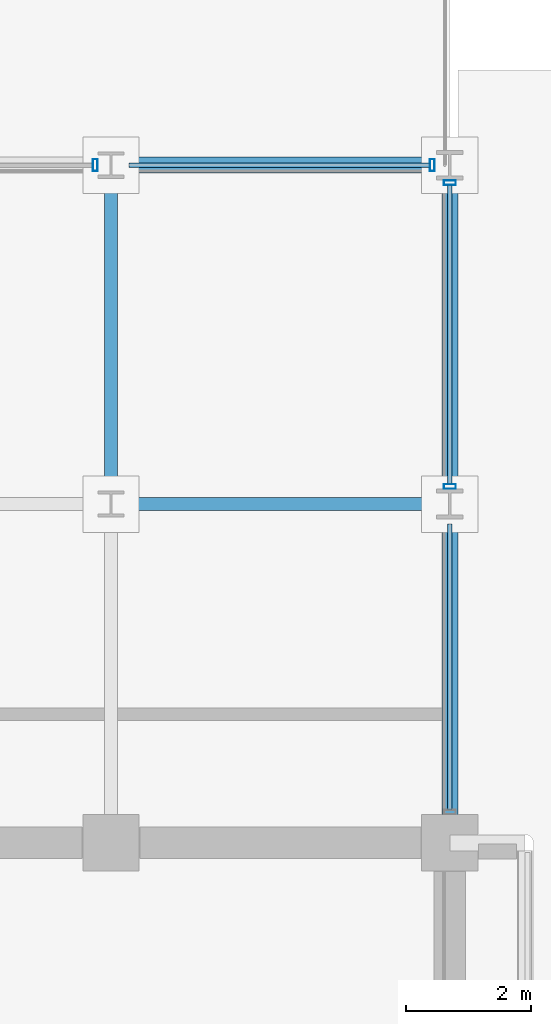
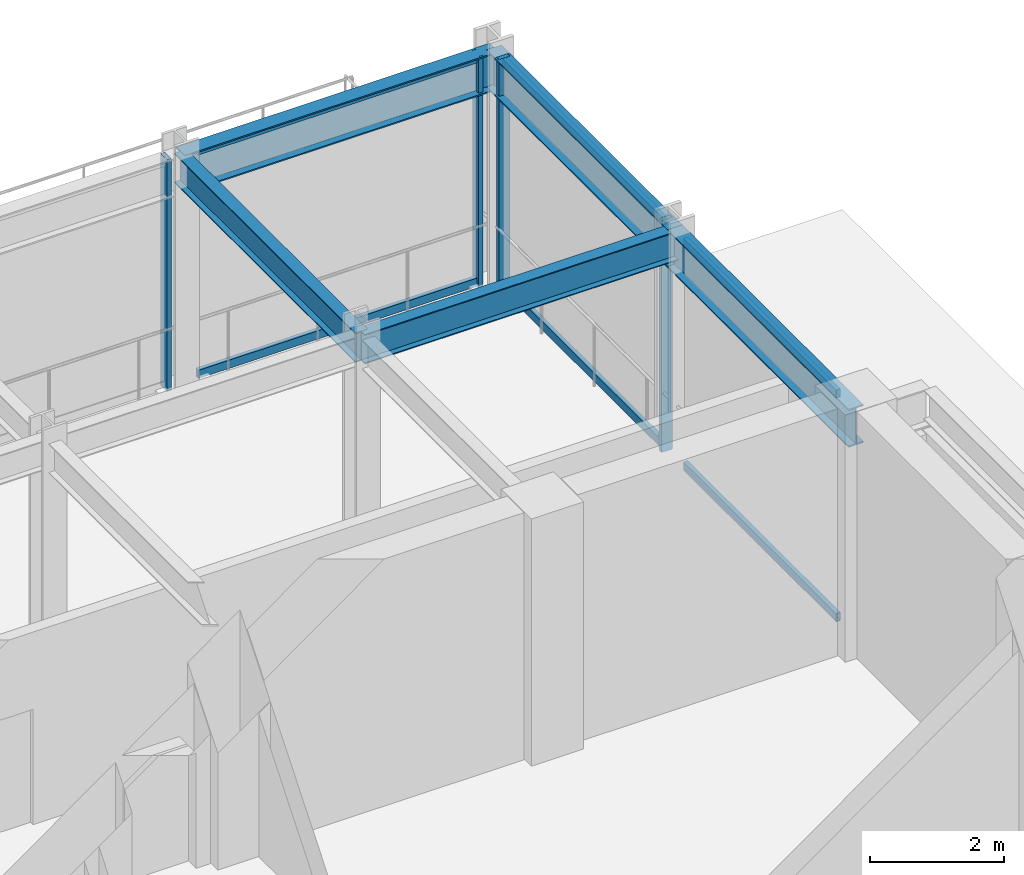
# One storey, part 12 of 22: 10 members, 5 beams, 2 elements without a shape of their own.
"""IFC4 building model written with IfcOpenShell, lengths in metres."""

from ifc_helpers import new_model, si_unit, direction, frame, origin, origin_2d, place, context, subcontext, project, spatial, hollow_rectangle, i_section, extrude, material, layer, layer_set, material_profile, profile_set, type_object, element, aggregate, save


model = new_model("IFC4")

# Units and contexts
model_context = context("Model", 3, precision=1e-05, world=origin(), true_north=direction((0.0, 1.0)))
body_context = subcontext(model_context, "Body", "Model", "MODEL_VIEW")
ifc_project = project(units=[si_unit("LENGTHUNIT", "METRE"), si_unit("AREAUNIT", "SQUARE_METRE"), si_unit("VOLUMEUNIT", "CUBIC_METRE"), si_unit("PLANEANGLEUNIT", "RADIAN"), si_unit("MASSUNIT", "GRAM", prefix="KILO")], contexts=[model_context])

# Site, building, storey
site_placement = place(None, origin())
site = spatial("IfcSite", under=ifc_project, at=site_placement, CompositionType="ELEMENT")
building_placement = place(site_placement, origin())
building = spatial("IfcBuilding", under=site, at=building_placement, Name="Surkhivell Harbour Commons", CompositionType="ELEMENT")
storey_placement = place(building_placement, frame((0.0, 0.0, 337.5)))
storey = spatial("IfcBuildingStorey", under=building, at=storey_placement, Name="L88", CompositionType="ELEMENT", Elevation=337.5)

# Beams
ifc_material_1 = material(Name="Steel S355", Category="steel")
ifc_material_profile_1 = material_profile(ifc_material_1, i_section(OverallWidth=0.2099609375, OverallDepth=0.537109375, WebThickness=0.0107421875, FlangeThickness=0.017333984375, at=origin_2d()), Name="UB533x210x101")
ifc_profile_set_1 = profile_set([ifc_material_profile_1], Name="Steel S355")
beam_type_1 = type_object("IfcBeamType", Name="BM-GRD-533B", PredefinedType="BEAM", material=ifc_profile_set_1)
for number, where, z_axis, x_axis, name in (
    (1, (5.39990234375, 16.199951171875, 3.951416015625), (0.0, 1.0, 0.0), (-1.0, 0.0, 0.0), "L88 Floor Girder (5.4,16.2)"),
    (2, (5.39990234375, 16.199951171875, 3.951416015625), (1.0, 0.0, 0.0), (0.0, 1.0, 0.0), "L88 Floor Girder (5.4,16.2)"),
):
    element("IfcBeam", number, at=place(storey_placement, frame(where, z_axis=z_axis, x_axis=x_axis)), inside=storey, type_object=beam_type_1, Name=name, PredefinedType="BEAM", context=body_context, shape_type="SweptSolid", body=[
        extrude(i_section(OverallWidth=0.2099609375, OverallDepth=0.537109375, WebThickness=0.0107421875, FlangeThickness=0.017333984375, at=origin_2d()), origin(), (0.0, 0.0, 1.0), 5.400146484375),
    ])
ifc_material_profile_2 = material_profile(ifc_material_1, i_section(OverallWidth=0.256103515625, OverallDepth=0.693115234375, WebThickness=0.014404296875, FlangeThickness=0.023681640625, at=origin_2d()), Name="UB686x254x170")
ifc_profile_set_2 = profile_set([ifc_material_profile_2], Name="Steel S355")
beam_type_2 = type_object("IfcBeamType", Name="BM-SPN-686", PredefinedType="SPANDREL", material=ifc_profile_set_2)
beam_1_placement = place(storey_placement, frame((5.39990234375, 21.60009765625, 3.87353515625), z_axis=(1.0, 0.0, 0.0), x_axis=(0.0, 1.0, 0.0)))
element("IfcBeam", 3, at=beam_1_placement, inside=storey, type_object=beam_type_2, Name="L88 Tube Spandrel (5.4,21.6)", PredefinedType="SPANDREL", context=body_context, shape_type="SweptSolid", body=[
    extrude(i_section(OverallWidth=0.256103515625, OverallDepth=0.693115234375, WebThickness=0.014404296875, FlangeThickness=0.023681640625, at=origin_2d()), origin(), (0.0, 0.0, 1.0), 5.400146484375),
])
beam_2_placement = place(storey_placement, frame((10.800048828125, 10.800048828125, 3.87353515625), z_axis=(0.0, 1.0, 0.0), x_axis=(-1.0, 0.0, 0.0)))
element("IfcBeam", 4, at=beam_2_placement, inside=storey, type_object=beam_type_2, Name="L88 Tube Spandrel (10.8,10.8)", PredefinedType="SPANDREL", context=body_context, shape_type="SweptSolid", body=[
    extrude(i_section(OverallWidth=0.256103515625, OverallDepth=0.693115234375, WebThickness=0.014404296875, FlangeThickness=0.023681640625, at=origin_2d()), origin(), (0.0, 0.0, 1.0), 5.39990234375),
])
beam_3_placement = place(storey_placement, frame((10.800048828125, 16.199951171875, 3.87353515625), z_axis=(0.0, 1.0, 0.0), x_axis=(-1.0, 0.0, 0.0)))
element("IfcBeam", 5, at=beam_3_placement, inside=storey, type_object=beam_type_2, Name="L88 Tube Spandrel (10.8,16.2)", PredefinedType="SPANDREL", context=body_context, shape_type="SweptSolid", body=[
    extrude(i_section(OverallWidth=0.256103515625, OverallDepth=0.693115234375, WebThickness=0.014404296875, FlangeThickness=0.023681640625, at=origin_2d()), origin(), (0.0, 0.0, 1.0), 5.400146484375),
])

# Curtain wall, members
ifc_material_2 = material(Name="Anodised pale-metal aluminium and insulated glazing", Category="aluminium")
ifc_layer = layer(ifc_material_2, 0.22998046875)
ifc_layer_set = layer_set([ifc_layer], Name="Anodised pale-metal aluminium and insulated glazing")
curtain_wall_type = type_object("IfcCurtainWallType", Name="CW-SYS-CRN", PredefinedType="NOTDEFINED", material=ifc_layer_set)
curtain_wall_1_placement = place(storey_placement, origin())
curtain_wall_1 = element("IfcCurtainWall", 6, at=curtain_wall_1_placement, inside=storey, type_object=curtain_wall_type, Name="L88 Curtain Wall CW-L88-C01S2", PredefinedType="NOTDEFINED")
ifc_material_3 = material(Name="Anodised pale-metal aluminium alloy 6063-T6", Category="aluminium")
ifc_material_profile_3 = material_profile(ifc_material_3, hollow_rectangle(XDim=0.074951171875, YDim=0.18994140625, WallThickness=0.00390625, at=origin_2d()), Name="ALU-MULL-75x190")
ifc_profile_set_3 = profile_set([ifc_material_profile_3], Name="Anodised pale-metal aluminium alloy 6063-T6")
member_type_1 = type_object("IfcMemberType", Name="CWM-190", PredefinedType="MULLION", material=ifc_profile_set_3)
member_1_placement = place(storey_placement, frame((10.800048828125, 16.4794921875, 0.0), z_axis=(0.0, 0.0, 1.0), x_axis=(0.0, 1.0, 0.0)))
member_1 = element("IfcMember", 7, at=member_1_placement, type_object=member_type_1, Name="CW-CRN mullion 2", PredefinedType="MULLION", context=body_context, shape_type="SweptSolid", body=[
    extrude(hollow_rectangle(XDim=0.074951171875, YDim=0.18994140625, WallThickness=0.00390625, at=origin_2d()), origin(), (0.0, 0.0, 1.0), 4.219970703125),
])
member_2_placement = place(storey_placement, frame((10.800048828125, 21.320556640625, 0.0), z_axis=(0.0, 0.0, 1.0), x_axis=(0.0, 1.0, 0.0)))
member_2 = element("IfcMember", 8, at=member_2_placement, type_object=member_type_1, Name="CW-CRN mullion 3", PredefinedType="MULLION", context=body_context, shape_type="SweptSolid", body=[
    extrude(hollow_rectangle(XDim=0.074951171875, YDim=0.18994140625, WallThickness=0.00390625, at=origin_2d()), origin(), (0.0, 0.0, 1.0), 4.219970703125),
])

curtain_wall_2_placement = place(storey_placement, origin())
curtain_wall_2 = element("IfcCurtainWall", 9, at=curtain_wall_2_placement, inside=storey, type_object=curtain_wall_type, Name="L88 Curtain Wall CW-L88-C02", PredefinedType="NOTDEFINED")
member_3_placement = place(storey_placement, frame((10.5205078125, 21.60009765625, 0.0), z_axis=(0.0, 0.0, 1.0), x_axis=(-1.0, 0.0, 0.0)))
member_3 = element("IfcMember", 10, at=member_3_placement, type_object=member_type_1, Name="CW-CRN mullion 1", PredefinedType="MULLION", context=body_context, shape_type="SweptSolid", body=[
    extrude(hollow_rectangle(XDim=0.074951171875, YDim=0.18994140625, WallThickness=0.00390625, at=origin_2d()), origin(), (0.0, 0.0, 1.0), 4.219970703125),
])
member_4_placement = place(storey_placement, frame((5.150390625, 21.60009765625, 0.0), z_axis=(0.0, 0.0, 1.0), x_axis=(-1.0, 0.0, 0.0)))
member_4 = element("IfcMember", 11, at=member_4_placement, type_object=member_type_1, Name="CW-CRN mullion 2", PredefinedType="MULLION", context=body_context, shape_type="SweptSolid", body=[
    extrude(hollow_rectangle(XDim=0.074951171875, YDim=0.18994140625, WallThickness=0.00390625, at=origin_2d()), origin(), (0.0, 0.0, 1.0), 4.219970703125),
])

# Member
ifc_material_profile_4 = material_profile(ifc_material_3, hollow_rectangle(XDim=0.074951171875, YDim=0.14990234375, WallThickness=0.00341796875, at=origin_2d()), Name="ALU-TRAN-75x150")
ifc_profile_set_4 = profile_set([ifc_material_profile_4], Name="Anodised pale-metal aluminium alloy 6063-T6")
member_type_2 = type_object("IfcMemberType", Name="CWT-150", PredefinedType="USERDEFINED", material=ifc_profile_set_4)
member_5_placement = place(storey_placement, frame((10.800048828125, 11.326904296875, 0.074951171875), z_axis=(0.0, 1.0, 0.0), x_axis=(-1.0, 0.0, 0.0)))
member_5 = element("IfcMember", 12, at=member_5_placement, type_object=member_type_2, Name="CW-CRN transom 1.1", ObjectType="TRANSOM", PredefinedType="USERDEFINED", context=body_context, shape_type="SweptSolid", body=[
    extrude(hollow_rectangle(XDim=0.074951171875, YDim=0.14990234375, WallThickness=0.00341796875, at=origin_2d()), origin(), (0.0, 0.0, 1.0), 4.55615234375),
])

member_6_placement = place(storey_placement, frame((10.800048828125, 11.326904296875, 4.14501953125), z_axis=(0.0, 1.0, 0.0), x_axis=(-1.0, 0.0, 0.0)))
member_6 = element("IfcMember", 13, at=member_6_placement, type_object=member_type_2, Name="CW-CRN transom 1.2", ObjectType="TRANSOM", PredefinedType="USERDEFINED", context=body_context, shape_type="SweptSolid", body=[
    extrude(hollow_rectangle(XDim=0.074951171875, YDim=0.14990234375, WallThickness=0.00341796875, at=origin_2d()), origin(), (0.0, 0.0, 1.0), 4.55615234375),
])

member_7_placement = place(storey_placement, frame((10.800048828125, 16.51708984375, 0.074951171875), z_axis=(0.0, 1.0, 0.0), x_axis=(-1.0, 0.0, 0.0)))
member_7 = element("IfcMember", 14, at=member_7_placement, type_object=member_type_2, Name="CW-CRN transom 2.1", ObjectType="TRANSOM", PredefinedType="USERDEFINED", context=body_context, shape_type="SweptSolid", body=[
    extrude(hollow_rectangle(XDim=0.074951171875, YDim=0.14990234375, WallThickness=0.00341796875, at=origin_2d()), origin(), (0.0, 0.0, 1.0), 4.765869140625),
])

member_8_placement = place(storey_placement, frame((10.800048828125, 16.51708984375, 4.14501953125), z_axis=(0.0, 1.0, 0.0), x_axis=(-1.0, 0.0, 0.0)))
member_8 = element("IfcMember", 15, at=member_8_placement, type_object=member_type_2, Name="CW-CRN transom 2.2", ObjectType="TRANSOM", PredefinedType="USERDEFINED", context=body_context, shape_type="SweptSolid", body=[
    extrude(hollow_rectangle(XDim=0.074951171875, YDim=0.14990234375, WallThickness=0.00341796875, at=origin_2d()), origin(), (0.0, 0.0, 1.0), 4.765869140625),
])

aggregate(curtain_wall_1, [member_5, member_6, member_1, member_2, member_7, member_8])

member_9_placement = place(storey_placement, frame((10.48291015625, 21.60009765625, 0.074951171875), z_axis=(-1.0, 0.0, 0.0), x_axis=(0.0, -1.0, 0.0)))
member_9 = element("IfcMember", 16, at=member_9_placement, type_object=member_type_2, Name="CW-CRN transom 1.1", ObjectType="TRANSOM", PredefinedType="USERDEFINED", context=body_context, shape_type="SweptSolid", body=[
    extrude(hollow_rectangle(XDim=0.074951171875, YDim=0.14990234375, WallThickness=0.00341796875, at=origin_2d()), origin(), (0.0, 0.0, 1.0), 4.7958984375),
])

member_10_placement = place(storey_placement, frame((10.48291015625, 21.60009765625, 4.14501953125), z_axis=(-1.0, 0.0, 0.0), x_axis=(0.0, -1.0, 0.0)))
member_10 = element("IfcMember", 17, at=member_10_placement, type_object=member_type_2, Name="CW-CRN transom 1.2", ObjectType="TRANSOM", PredefinedType="USERDEFINED", context=body_context, shape_type="SweptSolid", body=[
    extrude(hollow_rectangle(XDim=0.074951171875, YDim=0.14990234375, WallThickness=0.00341796875, at=origin_2d()), origin(), (0.0, 0.0, 1.0), 4.7958984375),
])

aggregate(curtain_wall_2, [member_3, member_9, member_10, member_4])

save(model, "model.ifc")
